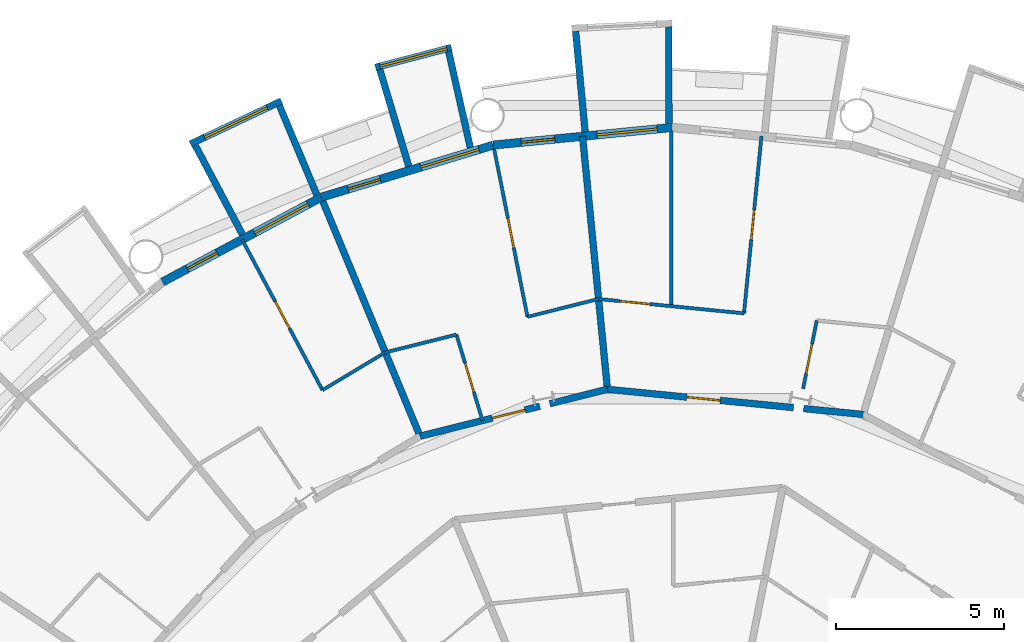
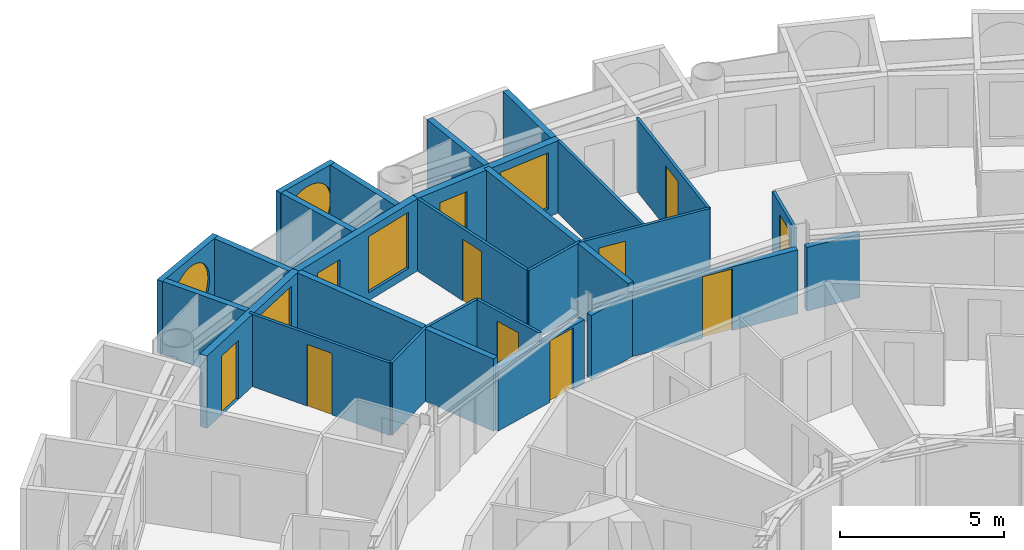
# One storey, part 20 of 26: 27 walls, 11 doors, 5 windows, 16 openings.
"""IFC4 building model written with IfcOpenShell, lengths in metres."""

from ifc_helpers import new_model, si_unit, direction, frame, frame_2d, origin, place, context, subcontext, project, spatial, rectangle, circle, extrude, material, layer, layer_set, type_object, element, fill, save


model = new_model("IFC4")

# Units and contexts
model_context = context("Model", 3, precision=1e-05, world=origin(), true_north=direction((0.0, 1.0)))
body_context = subcontext(model_context, "Body", "Model", "MODEL_VIEW")
ifc_project = project(units=[si_unit("LENGTHUNIT", "METRE"), si_unit("AREAUNIT", "SQUARE_METRE"), si_unit("VOLUMEUNIT", "CUBIC_METRE"), si_unit("PLANEANGLEUNIT", "RADIAN"), si_unit("MASSUNIT", "GRAM", prefix="KILO")], contexts=[model_context])

# Site, building, storey
site_placement = place(None, origin())
site = spatial("IfcSite", under=ifc_project, at=site_placement, CompositionType="ELEMENT")
building_placement = place(site_placement, origin())
building = spatial("IfcBuilding", under=site, at=building_placement, Name="Maasbend Ring Residences", CompositionType="ELEMENT")
storey_placement = place(building_placement, frame((0.0, 0.0, 25.85009765625)))
storey = spatial("IfcBuildingStorey", under=building, at=storey_placement, Name="L06", CompositionType="ELEMENT", Elevation=25.85009765625)

# Wall, opening, door
ifc_material_1 = material(Name="Concrete C30/37", Category="concrete")
ifc_layer_1 = layer(ifc_material_1, 0.199951171875)
ifc_layer_set_1 = layer_set([ifc_layer_1], Name="Concrete C30/37")
wall_type_1 = type_object("IfcWallType", Name="CORRIDOR WALL 200 CONCRETE", PredefinedType="PARTITIONING", material=ifc_layer_set_1)
wall_1_placement = place(storey_placement, frame((-1.927978515625, 19.5048828125, 0.0), z_axis=(0.0, 0.0, 1.0), x_axis=(0.995204127684, -0.097819958296, 0.0)))
wall_1 = element("IfcWall", 1, at=wall_1_placement, inside=storey, type_object=wall_type_1, Name="U-L06-w109", PredefinedType="PARTITIONING", context=body_context, shape_type="SweptSolid", body=[
    extrude(rectangle(XDim=5.570556640625, YDim=0.199951171875, at=frame_2d((2.78515625, 0.0))), origin(), (0.0, 0.0, 1.0), 2.3798828125),
])
opening_1_placement = place(wall_1_placement, frame((2.375, 0.0, 0.0)))
opening_1 = element("IfcOpeningElement", 2, at=opening_1_placement, cuts=wall_1, Name="Opening D-0608", PredefinedType="OPENING", context=body_context, shape_type="SweptSolid", body=[
    extrude(rectangle(XDim=1.0, YDim=2.300048828125, at=frame_2d((0.5, 1.14990234375))), frame((0.0, 0.10986328125, 0.0), z_axis=(0.0, -1.0, 0.0), x_axis=(1.0, 0.0, 0.0)), (0.0, 0.0, 1.0), 0.219970703125),
])
ifc_material_2 = material(Name="Timber, fire-rated, painted", Category="wood")
door_type_1 = type_object("IfcDoorType", Name="FLAT ENTRANCE DOOR 1000 X 2300 FIRE-RATED", OperationType="NOTDEFINED", PredefinedType="DOOR", material=ifc_material_2)
door_1_placement = place(opening_1_placement, origin())
door_1 = element("IfcDoor", 3, at=door_1_placement, inside=storey, type_object=door_type_1, Name="D-0608", OperationType="SINGLE_SWING_RIGHT", OverallHeight=2.300048828125, OverallWidth=1.0, PredefinedType="DOOR", context=body_context, shape_type="SweptSolid", body=[
    extrude(rectangle(XDim=1.0, YDim=2.300048828125, at=frame_2d((0.5, 1.14990234375))), frame((0.0, 0.02490234375, 0.0), z_axis=(0.0, -1.0, 0.0), x_axis=(1.0, 0.0, 0.0)), (0.0, 0.0, 1.0), 0.050048828125),
])
fill(opening_1, door_1)

# Wall
wall_2_placement = place(storey_placement, frame((3.9208984375, 18.929931640625, 0.0), z_axis=(0.0, 0.0, 1.0), x_axis=(0.995207057161, -0.097790149696, 0.0)))
element("IfcWall", 4, at=wall_2_placement, inside=storey, type_object=wall_type_1, Name="U-L06-w110", PredefinedType="PARTITIONING", context=body_context, shape_type="SweptSolid", body=[
    extrude(rectangle(XDim=1.777587890625, YDim=0.199951171875, at=frame_2d((0.888671875, 0.0))), origin(), (0.0, 0.0, 1.0), 2.3798828125),
])

# Wall, opening, door
wall_3_placement = place(storey_placement, frame((-7.5009765625, 18.10791015625, 0.0), z_axis=(0.0, 0.0, 1.0), x_axis=(0.970040840928, 0.242941900323, 0.0)))
wall_3 = element("IfcWall", 5, at=wall_3_placement, inside=storey, type_object=wall_type_1, Name="U-L06-w116", PredefinedType="PARTITIONING", context=body_context, shape_type="SweptSolid", body=[
    extrude(rectangle(XDim=3.676025390625, YDim=0.199951171875, at=frame_2d((1.837890625, 0.0))), origin(), (0.0, 0.0, 1.0), 2.3798828125),
])
opening_2_placement = place(wall_3_placement, frame((2.217041015625, 0.0, 0.0)))
opening_2 = element("IfcOpeningElement", 6, at=opening_2_placement, cuts=wall_3, Name="Opening D-0612", PredefinedType="OPENING", context=body_context, shape_type="SweptSolid", body=[
    extrude(rectangle(XDim=1.0, YDim=2.300048828125, at=frame_2d((0.5, 1.14990234375))), frame((0.0, 0.10986328125, 0.0), z_axis=(0.0, -1.0, 0.0), x_axis=(1.0, 0.0, 0.0)), (0.0, 0.0, 1.0), 0.219970703125),
])
door_2_placement = place(opening_2_placement, origin())
door_2 = element("IfcDoor", 7, at=door_2_placement, inside=storey, type_object=door_type_1, Name="D-0612", OperationType="SINGLE_SWING_RIGHT", OverallHeight=2.300048828125, OverallWidth=1.0, PredefinedType="DOOR", context=body_context, shape_type="SweptSolid", body=[
    extrude(rectangle(XDim=1.0, YDim=2.300048828125, at=frame_2d((0.5, 1.14990234375))), frame((0.0, 0.02490234375, 0.0), z_axis=(0.0, -1.0, 0.0), x_axis=(1.0, 0.0, 0.0)), (0.0, 0.0, 1.0), 0.050048828125),
])
fill(opening_2, door_2)

# Walls
wall_4_placement = place(storey_placement, frame((-3.638916015625, 19.075927734375, 0.0), z_axis=(0.0, 0.0, 1.0), x_axis=(0.970053237222, 0.242892397895, 0.0)))
element("IfcWall", 8, at=wall_4_placement, inside=storey, type_object=wall_type_1, Name="U-L06-w117", PredefinedType="PARTITIONING", context=body_context, shape_type="SweptSolid", body=[
    extrude(rectangle(XDim=1.77099609375, YDim=0.199951171875, at=frame_2d((0.885498046875, 0.0))), origin(), (0.0, 0.0, 1.0), 2.3798828125),
])
ifc_material_3 = material(Name="Pale anodised aluminium panel", Category="aluminium")
ifc_layer_2 = layer(ifc_material_3, 0.199951171875)
ifc_layer_set_2 = layer_set([ifc_layer_2], Name="EW-BOX")
wall_type_2 = type_object("IfcWallType", Name="EW-BOX", PredefinedType="SOLIDWALL", material=ifc_layer_set_2)
wall_5_placement = place(storey_placement, frame((-0.090087890625, 27.4169921875, -0.030029296875), z_axis=(0.0, 0.0, 1.0), x_axis=(-0.00347308367, 0.999993968827, 0.0)))
element("IfcWall", 9, at=wall_5_placement, inside=storey, type_object=wall_type_2, Name="Box side wall N11 left", PredefinedType="SOLIDWALL", context=body_context, shape_type="SweptSolid", body=[
    extrude(rectangle(XDim=2.882080078125, YDim=0.199951171875, at=frame_2d((1.44091796875, 0.0))), origin(), (0.0, 0.0, 1.0), 2.72998046875),
])
wall_6_placement = place(storey_placement, frame((-2.5859375, 27.1708984375, -0.030029296875), z_axis=(0.0, 0.0, 1.0), x_axis=(-0.094548432284, 0.995520262954, 0.0)))
element("IfcWall", 10, at=wall_6_placement, inside=storey, type_object=wall_type_2, Name="Box side wall N11 right", PredefinedType="SOLIDWALL", context=body_context, shape_type="SweptSolid", body=[
    extrude(rectangle(XDim=3.005615234375, YDim=0.199951171875, at=frame_2d((1.5029296875, 0.0))), origin(), (0.0, 0.0, 1.0), 2.72998046875),
])

# Wall, opening, window
wall_7_placement = place(storey_placement, frame((-6.568115234375, 29.681884765625, -0.030029296875), z_axis=(0.0, 0.0, 1.0), x_axis=(-0.967377102346, -0.253340762326, 0.0)))
wall_7 = element("IfcWall", 11, at=wall_7_placement, inside=storey, type_object=wall_type_2, Name="Box front N13", PredefinedType="SOLIDWALL", context=body_context, shape_type="SweptSolid", body=[
    extrude(rectangle(XDim=2.3359375, YDim=0.199951171875, at=frame_2d((1.16796875, 0.0))), origin(), (0.0, 0.0, 1.0), 2.72998046875),
])
opening_3_placement = place(wall_7_placement, frame((0.128173828125, 0.0, 0.330078125)))
opening_3 = element("IfcOpeningElement", 12, at=opening_3_placement, cuts=wall_7, Name="Opening W-RD", PredefinedType="OPENING", context=body_context, shape_type="SweptSolid", body=[
    extrude(circle(Radius=1.0400390625, at=frame_2d((1.0400390625, 1.0400390625))), frame((0.0, 0.10986328125, 0.0), z_axis=(0.0, -1.0, 0.0), x_axis=(1.0, 0.0, 0.0)), (0.0, 0.0, 1.0), 0.219970703125),
])
ifc_material_4 = material(Name="Aluminium and clear glass", Category="aluminium")
window_type_1 = type_object("IfcWindowType", Name="W-RD", PartitioningType="SINGLE_PANEL", PredefinedType="WINDOW", material=ifc_material_4)
window_1_placement = place(opening_3_placement, origin())
window_1 = element("IfcWindow", 13, at=window_1_placement, inside=storey, type_object=window_type_1, Name="Round window N13", OverallHeight=2.080078125, OverallWidth=2.080078125, PartitioningType="SINGLE_PANEL", PredefinedType="WINDOW", context=body_context, shape_type="SweptSolid", body=[
    extrude(circle(Radius=1.0400390625, at=frame_2d((1.0400390625, 1.0400390625))), frame((0.0, 0.030029296875, 0.0), z_axis=(0.0, -1.0, 0.0), x_axis=(1.0, 0.0, 0.0)), (0.0, 0.0, 1.0), 0.06005859375),
])
fill(opening_3, window_1)

# Walls
wall_8_placement = place(storey_placement, frame((-6.00390625, 26.699951171875, -0.030029296875), z_axis=(0.0, 0.0, 1.0), x_axis=(-0.219609259383, 0.975587911566, 0.0)))
element("IfcWall", 14, at=wall_8_placement, inside=storey, type_object=wall_type_2, Name="Box side wall N13 left", PredefinedType="SOLIDWALL", context=body_context, shape_type="SweptSolid", body=[
    extrude(rectangle(XDim=2.9326171875, YDim=0.199951171875, at=frame_2d((1.46630859375, 0.0))), origin(), (0.0, 0.0, 1.0), 2.72998046875),
])
wall_9_placement = place(storey_placement, frame((-7.8369140625, 26.14404296875, -0.030029296875), z_axis=(0.0, 0.0, 1.0), x_axis=(-0.287064767992, 0.957911174889, 0.0)))
element("IfcWall", 15, at=wall_9_placement, inside=storey, type_object=wall_type_2, Name="Box side wall N13 right", PredefinedType="SOLIDWALL", context=body_context, shape_type="SweptSolid", body=[
    extrude(rectangle(XDim=3.00634765625, YDim=0.199951171875, at=frame_2d((1.503173828125, 0.0))), origin(), (0.0, 0.0, 1.0), 2.72998046875),
])

# Wall, opening, window
wall_10_placement = place(storey_placement, frame((-11.62890625, 28.087890625, -0.030029296875), z_axis=(0.0, 0.0, 1.0), x_axis=(-0.904000060331, -0.427532327342, 0.0)))
wall_10 = element("IfcWall", 16, at=wall_10_placement, inside=storey, type_object=wall_type_2, Name="Box front N15", PredefinedType="SOLIDWALL", context=body_context, shape_type="SweptSolid", body=[
    extrude(rectangle(XDim=2.993408203125, YDim=0.199951171875, at=frame_2d((1.49658203125, 0.0))), origin(), (0.0, 0.0, 1.0), 2.72998046875),
])
opening_4_placement = place(wall_10_placement, frame((0.45654296875, 0.0, 0.330078125)))
opening_4 = element("IfcOpeningElement", 17, at=opening_4_placement, cuts=wall_10, Name="Opening W-RD", PredefinedType="OPENING", context=body_context, shape_type="SweptSolid", body=[
    extrude(circle(Radius=1.0400390625, at=frame_2d((1.0400390625, 1.0400390625))), frame((0.0, 0.10986328125, 0.0), z_axis=(0.0, -1.0, 0.0), x_axis=(1.0, 0.0, 0.0)), (0.0, 0.0, 1.0), 0.219970703125),
])
window_2_placement = place(opening_4_placement, origin())
window_2 = element("IfcWindow", 18, at=window_2_placement, inside=storey, type_object=window_type_1, Name="Round window N15", OverallHeight=2.080078125, OverallWidth=2.080078125, PartitioningType="SINGLE_PANEL", PredefinedType="WINDOW", context=body_context, shape_type="SweptSolid", body=[
    extrude(circle(Radius=1.0400390625, at=frame_2d((1.0400390625, 1.0400390625))), frame((0.0, 0.030029296875, 0.0), z_axis=(0.0, -1.0, 0.0), x_axis=(1.0, 0.0, 0.0)), (0.0, 0.0, 1.0), 0.06005859375),
])
fill(opening_4, window_2)

# Walls
wall_11_placement = place(storey_placement, frame((-10.574951171875, 25.294921875, -0.030029296875), z_axis=(0.0, 0.0, 1.0), x_axis=(-0.385697364644, 0.922625353492, 0.0)))
element("IfcWall", 19, at=wall_11_placement, inside=storey, type_object=wall_type_2, Name="Box side wall N15 left", PredefinedType="SOLIDWALL", context=body_context, shape_type="SweptSolid", body=[
    extrude(rectangle(XDim=2.88330078125, YDim=0.199951171875, at=frame_2d((1.441650390625, 0.0))), origin(), (0.0, 0.0, 1.0), 2.72998046875),
])
wall_12_placement = place(storey_placement, frame((-12.787109375, 24.113037109375, -0.030029296875), z_axis=(0.0, 0.0, 1.0), x_axis=(-0.468365282436, 0.883534924159, 0.0)))
element("IfcWall", 20, at=wall_12_placement, inside=storey, type_object=wall_type_2, Name="Box side wall N15 right", PredefinedType="SOLIDWALL", context=body_context, shape_type="SweptSolid", body=[
    extrude(rectangle(XDim=3.006103515625, YDim=0.199951171875, at=frame_2d((1.5029296875, 0.0))), origin(), (0.0, 0.0, 1.0), 2.72998046875),
])

# Wall, openings, door, window
ifc_material_5 = material(Name="Aluminium clad insulated panel", Category="aluminium")
ifc_layer_3 = layer(ifc_material_5, 0.25)
ifc_layer_set_3 = layer_set([ifc_layer_3], Name="EW-GL")
wall_type_3 = type_object("IfcWallType", Name="EW-GL", PredefinedType="SOLIDWALL", material=ifc_layer_set_3)
wall_13_placement = place(storey_placement, frame((0.0, 27.300048828125, 0.0), z_axis=(0.0, 0.0, 1.0), x_axis=(-0.995173996315, -0.098126026407, 0.0)))
wall_13 = element("IfcWall", 21, at=wall_13_placement, inside=storey, type_object=wall_type_3, Name="External wall N06", PredefinedType="SOLIDWALL", context=body_context, shape_type="SweptSolid", body=[
    extrude(rectangle(XDim=5.351806640625, YDim=0.25, at=frame_2d((2.67578125, 0.0))), origin(), (0.0, 0.0, 1.0), 2.699951171875),
])
opening_5_placement = place(wall_13_placement, frame((0.441162109375, 0.0, 0.300048828125)))
opening_5 = element("IfcOpeningElement", 22, at=opening_5_placement, cuts=wall_13, Name="Opening W-BX", PredefinedType="OPENING", context=body_context, shape_type="SweptSolid", body=[
    extrude(rectangle(XDim=1.800048828125, YDim=2.10009765625, at=frame_2d((0.89990234375, 1.050048828125))), frame((0.0, 0.135009765625, 0.0), z_axis=(0.0, -1.0, 0.0), x_axis=(1.0, 0.0, 0.0)), (0.0, 0.0, 1.0), 0.27001953125),
])
opening_6_placement = place(wall_13_placement, frame((3.510498046875, 0.0, 0.0)))
opening_6 = element("IfcOpeningElement", 23, at=opening_6_placement, cuts=wall_13, Name="Opening D-LG", PredefinedType="OPENING", context=body_context, shape_type="SweptSolid", body=[
    extrude(rectangle(XDim=1.0, YDim=2.199951171875, at=frame_2d((0.5, 1.10009765625))), frame((0.0, 0.135009765625, 0.0), z_axis=(0.0, -1.0, 0.0), x_axis=(1.0, 0.0, 0.0)), (0.0, 0.0, 1.0), 0.27001953125),
])
ifc_material_6 = material(Name="Aluminium and clear glass", Category="aluminium")
door_type_2 = type_object("IfcDoorType", Name="D-LG", OperationType="SINGLE_SWING_LEFT", PredefinedType="DOOR", material=ifc_material_6)
door_3_placement = place(opening_6_placement, origin())
door_3 = element("IfcDoor", 24, at=door_3_placement, inside=storey, type_object=door_type_2, Name="Loggia door N12", OperationType="SINGLE_SWING_LEFT", OverallHeight=2.199951171875, OverallWidth=1.0, PredefinedType="DOOR", context=body_context, shape_type="SweptSolid", body=[
    extrude(rectangle(XDim=1.0, YDim=2.199951171875, at=frame_2d((0.5, 1.10009765625))), frame((0.0, 0.02490234375, 0.0), z_axis=(0.0, -1.0, 0.0), x_axis=(1.0, 0.0, 0.0)), (0.0, 0.0, 1.0), 0.050048828125),
])
fill(opening_6, door_3)
ifc_material_7 = material(Name="Aluminium and clear glass", Category="aluminium")
window_type_2 = type_object("IfcWindowType", Name="W-BX", PartitioningType="DOUBLE_PANEL_VERTICAL", PredefinedType="WINDOW", material=ifc_material_7)
window_3_placement = place(opening_5_placement, origin())
window_3 = element("IfcWindow", 25, at=window_3_placement, inside=storey, type_object=window_type_2, Name="Window N11 room to box", OverallHeight=2.10009765625, OverallWidth=1.800048828125, PartitioningType="SINGLE_PANEL", PredefinedType="WINDOW", context=body_context, shape_type="SweptSolid", body=[
    extrude(rectangle(XDim=1.800048828125, YDim=2.10009765625, at=frame_2d((0.89990234375, 1.050048828125))), frame((0.0, 0.030029296875, 0.0), z_axis=(0.0, -1.0, 0.0), x_axis=(1.0, 0.0, 0.0)), (0.0, 0.0, 1.0), 0.06005859375),
])
fill(opening_5, window_3)

wall_14_placement = place(storey_placement, frame((-5.325927734375, 26.77490234375, 0.0), z_axis=(0.0, 0.0, 1.0), x_axis=(-0.956965678721, -0.290201119486, 0.0)))
wall_14 = element("IfcWall", 26, at=wall_14_placement, inside=storey, type_object=wall_type_3, Name="External wall N07", PredefinedType="SOLIDWALL", context=body_context, shape_type="SweptSolid", body=[
    extrude(rectangle(XDim=5.351318359375, YDim=0.25, at=frame_2d((2.67578125, 0.0))), origin(), (0.0, 0.0, 1.0), 2.699951171875),
])
opening_7_placement = place(wall_14_placement, frame((0.441162109375, 0.0, 0.300048828125)))
opening_7 = element("IfcOpeningElement", 27, at=opening_7_placement, cuts=wall_14, Name="Opening W-BX", PredefinedType="OPENING", context=body_context, shape_type="SweptSolid", body=[
    extrude(rectangle(XDim=1.800048828125, YDim=2.10009765625, at=frame_2d((0.89990234375, 1.050048828125))), frame((0.0, 0.135009765625, 0.0), z_axis=(0.0, -1.0, 0.0), x_axis=(1.0, 0.0, 0.0)), (0.0, 0.0, 1.0), 0.27001953125),
])
opening_8_placement = place(wall_14_placement, frame((3.510498046875, 0.0, 0.0)))
opening_8 = element("IfcOpeningElement", 28, at=opening_8_placement, cuts=wall_14, Name="Opening D-LG", PredefinedType="OPENING", context=body_context, shape_type="SweptSolid", body=[
    extrude(rectangle(XDim=1.0, YDim=2.199951171875, at=frame_2d((0.5, 1.10009765625))), frame((0.0, 0.135009765625, 0.0), z_axis=(0.0, -1.0, 0.0), x_axis=(1.0, 0.0, 0.0)), (0.0, 0.0, 1.0), 0.27001953125),
])
door_4_placement = place(opening_8_placement, origin())
door_4 = element("IfcDoor", 29, at=door_4_placement, inside=storey, type_object=door_type_2, Name="Loggia door N14", OperationType="SINGLE_SWING_LEFT", OverallHeight=2.199951171875, OverallWidth=1.0, PredefinedType="DOOR", context=body_context, shape_type="SweptSolid", body=[
    extrude(rectangle(XDim=1.0, YDim=2.199951171875, at=frame_2d((0.5, 1.10009765625))), frame((0.0, 0.02490234375, 0.0), z_axis=(0.0, -1.0, 0.0), x_axis=(1.0, 0.0, 0.0)), (0.0, 0.0, 1.0), 0.050048828125),
])
fill(opening_8, door_4)
window_4_placement = place(opening_7_placement, origin())
window_4 = element("IfcWindow", 30, at=window_4_placement, inside=storey, type_object=window_type_2, Name="Window N13 room to box", OverallHeight=2.10009765625, OverallWidth=1.800048828125, PartitioningType="SINGLE_PANEL", PredefinedType="WINDOW", context=body_context, shape_type="SweptSolid", body=[
    extrude(rectangle(XDim=1.800048828125, YDim=2.10009765625, at=frame_2d((0.89990234375, 1.050048828125))), frame((0.0, 0.030029296875, 0.0), z_axis=(0.0, -1.0, 0.0), x_axis=(1.0, 0.0, 0.0)), (0.0, 0.0, 1.0), 0.06005859375),
])
fill(opening_7, window_4)

wall_15_placement = place(storey_placement, frame((-10.447021484375, 25.221923828125, 0.0), z_axis=(0.0, 0.0, 1.0), x_axis=(-0.881915646801, -0.471407246368, 0.0)))
wall_15 = element("IfcWall", 31, at=wall_15_placement, inside=storey, type_object=wall_type_3, Name="External wall N08", PredefinedType="SOLIDWALL", context=body_context, shape_type="SweptSolid", body=[
    extrude(rectangle(XDim=5.35205078125, YDim=0.25, at=frame_2d((2.676025390625, 0.0))), origin(), (0.0, 0.0, 1.0), 2.699951171875),
])
opening_9_placement = place(wall_15_placement, frame((0.441162109375, 0.0, 0.300048828125)))
opening_9 = element("IfcOpeningElement", 32, at=opening_9_placement, cuts=wall_15, Name="Opening W-BX", PredefinedType="OPENING", context=body_context, shape_type="SweptSolid", body=[
    extrude(rectangle(XDim=1.800048828125, YDim=2.10009765625, at=frame_2d((0.89990234375, 1.050048828125))), frame((0.0, 0.135009765625, 0.0), z_axis=(0.0, -1.0, 0.0), x_axis=(1.0, 0.0, 0.0)), (0.0, 0.0, 1.0), 0.27001953125),
])
opening_10_placement = place(wall_15_placement, frame((3.510498046875, 0.0, 0.0)))
opening_10 = element("IfcOpeningElement", 33, at=opening_10_placement, cuts=wall_15, Name="Opening D-LG", PredefinedType="OPENING", context=body_context, shape_type="SweptSolid", body=[
    extrude(rectangle(XDim=1.0, YDim=2.199951171875, at=frame_2d((0.5, 1.10009765625))), frame((0.0, 0.135009765625, 0.0), z_axis=(0.0, -1.0, 0.0), x_axis=(1.0, 0.0, 0.0)), (0.0, 0.0, 1.0), 0.27001953125),
])
door_5_placement = place(opening_10_placement, origin())
door_5 = element("IfcDoor", 34, at=door_5_placement, inside=storey, type_object=door_type_2, Name="Loggia door N16", OperationType="SINGLE_SWING_LEFT", OverallHeight=2.199951171875, OverallWidth=1.0, PredefinedType="DOOR", context=body_context, shape_type="SweptSolid", body=[
    extrude(rectangle(XDim=1.0, YDim=2.199951171875, at=frame_2d((0.5, 1.10009765625))), frame((0.0, 0.02490234375, 0.0), z_axis=(0.0, -1.0, 0.0), x_axis=(1.0, 0.0, 0.0)), (0.0, 0.0, 1.0), 0.050048828125),
])
fill(opening_10, door_5)
window_5_placement = place(opening_9_placement, origin())
window_5 = element("IfcWindow", 35, at=window_5_placement, inside=storey, type_object=window_type_2, Name="Window N15 room to box", OverallHeight=2.10009765625, OverallWidth=1.800048828125, PartitioningType="SINGLE_PANEL", PredefinedType="WINDOW", context=body_context, shape_type="SweptSolid", body=[
    extrude(rectangle(XDim=1.800048828125, YDim=2.10009765625, at=frame_2d((0.89990234375, 1.050048828125))), frame((0.0, 0.030029296875, 0.0), z_axis=(0.0, -1.0, 0.0), x_axis=(1.0, 0.0, 0.0)), (0.0, 0.0, 1.0), 0.06005859375),
])
fill(opening_9, window_5)

# Wall, opening, door
ifc_material_8 = material(Name="Gypsum board on steel studs", Category="steel")
ifc_layer_4 = layer(ifc_material_8, 0.10009765625)
ifc_layer_set_4 = layer_set([ifc_layer_4], Name="PARTITION 100 GYPSUM")
wall_type_4 = type_object("IfcWallType", Name="PARTITION 100 GYPSUM", PredefinedType="PARTITIONING", material=ifc_layer_set_4)
wall_16_placement = place(storey_placement, frame((-12.802978515625, 23.969970703125, 0.0), z_axis=(0.0, 0.0, 1.0), x_axis=(0.471170755767, -0.882042016522, 0.0)))
wall_16 = element("IfcWall", 36, at=wall_16_placement, inside=storey, type_object=wall_type_4, Name="U-L06-w043", PredefinedType="PARTITIONING", context=body_context, shape_type="SweptSolid", body=[
    extrude(rectangle(XDim=5.08935546875, YDim=0.10009765625, at=frame_2d((2.544677734375, 0.0))), origin(), (0.0, 0.0, 1.0), 2.699951171875),
])
opening_11_placement = place(wall_16_placement, frame((2.094970703125, 0.0, 0.0)))
opening_11 = element("IfcOpeningElement", 37, at=opening_11_placement, cuts=wall_16, Name="Opening D-0617", PredefinedType="OPENING", context=body_context, shape_type="SweptSolid", body=[
    extrude(rectangle(XDim=0.89990234375, YDim=2.300048828125, at=frame_2d((0.449951171875, 1.14990234375))), frame((0.0, 0.06005859375, 0.0), z_axis=(0.0, -1.0, 0.0), x_axis=(1.0, 0.0, 0.0)), (0.0, 0.0, 1.0), 0.1201171875),
])
ifc_material_9 = material(Name="Timber, painted", Category="wood")
door_type_3 = type_object("IfcDoorType", Name="INTERNAL DOOR 900 X 2300", OperationType="NOTDEFINED", PredefinedType="DOOR", material=ifc_material_9)
door_6_placement = place(opening_11_placement, origin())
door_6 = element("IfcDoor", 38, at=door_6_placement, inside=storey, type_object=door_type_3, Name="D-0617", OperationType="SINGLE_SWING_RIGHT", OverallHeight=2.300048828125, OverallWidth=0.89990234375, PredefinedType="DOOR", context=body_context, shape_type="SweptSolid", body=[
    extrude(rectangle(XDim=0.89990234375, YDim=2.300048828125, at=frame_2d((0.449951171875, 1.14990234375))), frame((0.0, 0.02490234375, 0.0), z_axis=(0.0, -1.0, 0.0), x_axis=(1.0, 0.0, 0.0)), (0.0, 0.0, 1.0), 0.050048828125),
])
fill(opening_11, door_6)

wall_17_placement = place(storey_placement, frame((-6.41796875, 21.133056640625, 0.0), z_axis=(0.0, 0.0, 1.0), x_axis=(0.290478618436, -0.956881482855, 0.0)))
wall_17 = element("IfcWall", 39, at=wall_17_placement, inside=storey, type_object=wall_type_4, Name="U-L06-w055", PredefinedType="PARTITIONING", context=body_context, shape_type="SweptSolid", body=[
    extrude(rectangle(XDim=2.67431640625, YDim=0.10009765625, at=frame_2d((1.337158203125, 0.0))), origin(), (0.0, 0.0, 1.0), 2.699951171875),
])
opening_12_placement = place(wall_17_placement, frame((0.886962890625, 0.0, 0.0)))
opening_12 = element("IfcOpeningElement", 40, at=opening_12_placement, cuts=wall_17, Name="Opening D-0613", PredefinedType="OPENING", context=body_context, shape_type="SweptSolid", body=[
    extrude(rectangle(XDim=0.89990234375, YDim=2.300048828125, at=frame_2d((0.449951171875, 1.14990234375))), frame((0.0, 0.06005859375, 0.0), z_axis=(0.0, -1.0, 0.0), x_axis=(1.0, 0.0, 0.0)), (0.0, 0.0, 1.0), 0.1201171875),
])
door_7_placement = place(opening_12_placement, origin())
door_7 = element("IfcDoor", 41, at=door_7_placement, inside=storey, type_object=door_type_3, Name="D-0613", OperationType="SINGLE_SWING_RIGHT", OverallHeight=2.300048828125, OverallWidth=0.89990234375, PredefinedType="DOOR", context=body_context, shape_type="SweptSolid", body=[
    extrude(rectangle(XDim=0.89990234375, YDim=2.300048828125, at=frame_2d((0.449951171875, 1.14990234375))), frame((0.0, 0.02490234375, 0.0), z_axis=(0.0, -1.0, 0.0), x_axis=(1.0, 0.0, 0.0)), (0.0, 0.0, 1.0), 0.050048828125),
])
fill(opening_12, door_7)

wall_18_placement = place(storey_placement, frame((-5.29296875, 26.655029296875, 0.0), z_axis=(0.0, 0.0, 1.0), x_axis=(0.194713709563, -0.980860118115, 0.0)))
wall_18 = element("IfcWall", 42, at=wall_18_placement, inside=storey, type_object=wall_type_4, Name="U-L06-w056", PredefinedType="PARTITIONING", context=body_context, shape_type="SweptSolid", body=[
    extrude(rectangle(XDim=5.08935546875, YDim=0.10009765625, at=frame_2d((2.544677734375, 0.0))), origin(), (0.0, 0.0, 1.0), 2.699951171875),
])
opening_13_placement = place(wall_18_placement, frame((2.094970703125, 0.0, 0.0)))
opening_13 = element("IfcOpeningElement", 43, at=opening_13_placement, cuts=wall_18, Name="Opening D-0614", PredefinedType="OPENING", context=body_context, shape_type="SweptSolid", body=[
    extrude(rectangle(XDim=0.89990234375, YDim=2.300048828125, at=frame_2d((0.449951171875, 1.14990234375))), frame((0.0, 0.06005859375, 0.0), z_axis=(0.0, -1.0, 0.0), x_axis=(1.0, 0.0, 0.0)), (0.0, 0.0, 1.0), 0.1201171875),
])
door_8_placement = place(opening_13_placement, origin())
door_8 = element("IfcDoor", 44, at=door_8_placement, inside=storey, type_object=door_type_3, Name="D-0614", OperationType="SINGLE_SWING_RIGHT", OverallHeight=2.300048828125, OverallWidth=0.89990234375, PredefinedType="DOOR", context=body_context, shape_type="SweptSolid", body=[
    extrude(rectangle(XDim=0.89990234375, YDim=2.300048828125, at=frame_2d((0.449951171875, 1.14990234375))), frame((0.0, 0.02490234375, 0.0), z_axis=(0.0, -1.0, 0.0), x_axis=(1.0, 0.0, 0.0)), (0.0, 0.0, 1.0), 0.050048828125),
])
fill(opening_13, door_8)

# Wall
wall_19_placement = place(storey_placement, frame((-0.02099609375, 21.97900390625, 0.0), z_axis=(0.0, 0.0, 1.0), x_axis=(-0.00093971673, 0.999999558466, 0.0)))
element("IfcWall", 45, at=wall_19_placement, inside=storey, type_object=wall_type_4, Name="U-L06-w064", PredefinedType="PARTITIONING", context=body_context, shape_type="SweptSolid", body=[
    extrude(rectangle(XDim=5.196044921875, YDim=0.10009765625, at=frame_2d((2.59814453125, 0.0))), origin(), (0.0, 0.0, 1.0), 2.699951171875),
])

# Wall, opening, door
wall_20_placement = place(storey_placement, frame((2.14404296875, 21.76611328125, 0.0), z_axis=(0.0, 0.0, 1.0), x_axis=(0.098054199821, 0.995181075934, 0.0)))
wall_20 = element("IfcWall", 46, at=wall_20_placement, inside=storey, type_object=wall_type_4, Name="U-L06-w072", PredefinedType="PARTITIONING", context=body_context, shape_type="SweptSolid", body=[
    extrude(rectangle(XDim=5.303466796875, YDim=0.10009765625, at=frame_2d((2.65185546875, 0.0))), origin(), (0.0, 0.0, 1.0), 2.699951171875),
])
opening_14_placement = place(wall_20_placement, frame((2.201904296875, 0.0, 0.0)))
opening_14 = element("IfcOpeningElement", 47, at=opening_14_placement, cuts=wall_20, Name="Opening D-0610", PredefinedType="OPENING", context=body_context, shape_type="SweptSolid", body=[
    extrude(rectangle(XDim=0.89990234375, YDim=2.300048828125, at=frame_2d((0.449951171875, 1.14990234375))), frame((0.0, 0.06005859375, 0.0), z_axis=(0.0, -1.0, 0.0), x_axis=(1.0, 0.0, 0.0)), (0.0, 0.0, 1.0), 0.1201171875),
])
door_9_placement = place(opening_14_placement, origin())
door_9 = element("IfcDoor", 48, at=door_9_placement, inside=storey, type_object=door_type_3, Name="D-0610", OperationType="SINGLE_SWING_LEFT", OverallHeight=2.300048828125, OverallWidth=0.89990234375, PredefinedType="DOOR", context=body_context, shape_type="SweptSolid", body=[
    extrude(rectangle(XDim=0.89990234375, YDim=2.300048828125, at=frame_2d((0.449951171875, 1.14990234375))), frame((0.0, 0.02490234375, 0.0), z_axis=(0.0, -1.0, 0.0), x_axis=(1.0, 0.0, 0.0)), (0.0, 0.0, 1.0), 0.050048828125),
])
fill(opening_14, door_9)

wall_21_placement = place(storey_placement, frame((3.903076171875, 19.52392578125, 0.0), z_axis=(0.0, 0.0, 1.0), x_axis=(0.19620689099, 0.980562520153, 0.0)))
wall_21 = element("IfcWall", 49, at=wall_21_placement, inside=storey, type_object=wall_type_4, Name="U-L06-w076", PredefinedType="PARTITIONING", context=body_context, shape_type="SweptSolid", body=[
    extrude(rectangle(XDim=2.0693359375, YDim=0.10009765625, at=frame_2d((1.03466796875, 0.0))), origin(), (0.0, 0.0, 1.0), 2.699951171875),
])
opening_15_placement = place(wall_21_placement, frame((0.4580078125, 0.0, 0.0)))
opening_15 = element("IfcOpeningElement", 50, at=opening_15_placement, cuts=wall_21, Name="Opening D-0609", PredefinedType="OPENING", context=body_context, shape_type="SweptSolid", body=[
    extrude(rectangle(XDim=0.89990234375, YDim=2.300048828125, at=frame_2d((0.449951171875, 1.14990234375))), frame((0.0, 0.06005859375, 0.0), z_axis=(0.0, -1.0, 0.0), x_axis=(1.0, 0.0, 0.0)), (0.0, 0.0, 1.0), 0.1201171875),
])
door_10_placement = place(opening_15_placement, origin())
door_10 = element("IfcDoor", 51, at=door_10_placement, inside=storey, type_object=door_type_3, Name="D-0609", OperationType="SINGLE_SWING_LEFT", OverallHeight=2.300048828125, OverallWidth=0.89990234375, PredefinedType="DOOR", context=body_context, shape_type="SweptSolid", body=[
    extrude(rectangle(XDim=0.89990234375, YDim=2.300048828125, at=frame_2d((0.449951171875, 1.14990234375))), frame((0.0, 0.02490234375, 0.0), z_axis=(0.0, -1.0, 0.0), x_axis=(1.0, 0.0, 0.0)), (0.0, 0.0, 1.0), 0.050048828125),
])
fill(opening_15, door_10)

wall_22_placement = place(storey_placement, frame((-2.19091796875, 22.193115234375, 0.0), z_axis=(0.0, 0.0, 1.0), x_axis=(0.995194459907, -0.097918266785, 0.0)))
wall_22 = element("IfcWall", 52, at=wall_22_placement, inside=storey, type_object=wall_type_4, Name="U-L06-w121", PredefinedType="PARTITIONING", context=body_context, shape_type="SweptSolid", body=[
    extrude(rectangle(XDim=4.36083984375, YDim=0.10009765625, at=frame_2d((2.180419921875, 0.0))), origin(), (0.0, 0.0, 1.0), 2.699951171875),
])
opening_16_placement = place(wall_22_placement, frame((0.639892578125, 0.0, 0.0)))
opening_16 = element("IfcOpeningElement", 53, at=opening_16_placement, cuts=wall_22, Name="Opening D-0611", PredefinedType="OPENING", context=body_context, shape_type="SweptSolid", body=[
    extrude(rectangle(XDim=0.89990234375, YDim=2.300048828125, at=frame_2d((0.449951171875, 1.14990234375))), frame((0.0, 0.06005859375, 0.0), z_axis=(0.0, -1.0, 0.0), x_axis=(1.0, 0.0, 0.0)), (0.0, 0.0, 1.0), 0.1201171875),
])
door_11_placement = place(opening_16_placement, origin())
door_11 = element("IfcDoor", 54, at=door_11_placement, inside=storey, type_object=door_type_3, Name="D-0611", OperationType="SINGLE_SWING_LEFT", OverallHeight=2.300048828125, OverallWidth=0.89990234375, PredefinedType="DOOR", context=body_context, shape_type="SweptSolid", body=[
    extrude(rectangle(XDim=0.89990234375, YDim=2.300048828125, at=frame_2d((0.449951171875, 1.14990234375))), frame((0.0, 0.02490234375, 0.0), z_axis=(0.0, -1.0, 0.0), x_axis=(1.0, 0.0, 0.0)), (0.0, 0.0, 1.0), 0.050048828125),
])
fill(opening_16, door_11)

# Walls
wall_23_placement = place(storey_placement, frame((-10.405029296875, 19.48095703125, 0.0), z_axis=(0.0, 0.0, 1.0), x_axis=(0.857611386679, 0.514298268943, 0.0)))
element("IfcWall", 55, at=wall_23_placement, inside=storey, type_object=wall_type_4, Name="U-L06-w128", PredefinedType="PARTITIONING", context=body_context, shape_type="SweptSolid", body=[
    extrude(rectangle(XDim=2.181640625, YDim=0.10009765625, at=frame_2d((1.0908203125, 0.0))), origin(), (0.0, 0.0, 1.0), 2.699951171875),
])
wall_24_placement = place(storey_placement, frame((-8.534912109375, 20.60302734375, 0.0), z_axis=(0.0, 0.0, 1.0), x_axis=(0.97003047456, 0.242983288366, 0.0)))
element("IfcWall", 56, at=wall_24_placement, inside=storey, type_object=wall_type_4, Name="U-L06-w129", PredefinedType="PARTITIONING", context=body_context, shape_type="SweptSolid", body=[
    extrude(rectangle(XDim=2.181396484375, YDim=0.10009765625, at=frame_2d((1.0908203125, 0.0))), origin(), (0.0, 0.0, 1.0), 2.699951171875),
])
wall_25_placement = place(storey_placement, frame((-4.302978515625, 21.6630859375, 0.0), z_axis=(0.0, 0.0, 1.0), x_axis=(0.970056889313, 0.242877811867, 0.0)))
element("IfcWall", 57, at=wall_25_placement, inside=storey, type_object=wall_type_4, Name="U-L06-w130", PredefinedType="PARTITIONING", context=body_context, shape_type="SweptSolid", body=[
    extrude(rectangle(XDim=2.182373046875, YDim=0.10009765625, at=frame_2d((1.09130859375, 0.0))), origin(), (0.0, 0.0, 1.0), 2.699951171875),
])
ifc_material_10 = material(Name="Concrete C30/37", Category="concrete")
ifc_layer_5 = layer(ifc_material_10, 0.199951171875)
ifc_layer_set_5 = layer_set([ifc_layer_5], Name="Concrete C30/37")
wall_type_5 = type_object("IfcWallType", Name="PARTY WALL 200 CONCRETE", PredefinedType="PARTITIONING", material=ifc_layer_set_5)
wall_26_placement = place(storey_placement, frame((-10.39794921875, 25.10595703125, 0.0), z_axis=(0.0, 0.0, 1.0), x_axis=(0.382490346157, -0.923959487801, 0.0)))
element("IfcWall", 58, at=wall_26_placement, inside=storey, type_object=wall_type_5, Name="U-L06-w048", PredefinedType="PARTITIONING", context=body_context, shape_type="SweptSolid", body=[
    extrude(rectangle(XDim=7.573974609375, YDim=0.199951171875, at=frame_2d((3.787109375, 0.0))), origin(), (0.0, 0.0, 1.0), 2.699951171875),
])
wall_27_placement = place(storey_placement, frame((-2.6630859375, 27.0439453125, 0.0), z_axis=(0.0, 0.0, 1.0), x_axis=(0.097987704654, -0.995187625394, 0.0)))
element("IfcWall", 59, at=wall_27_placement, inside=storey, type_object=wall_type_5, Name="U-L06-w061", PredefinedType="PARTITIONING", context=body_context, shape_type="SweptSolid", body=[
    extrude(rectangle(XDim=7.57421875, YDim=0.199951171875, at=frame_2d((3.787109375, 0.0))), origin(), (0.0, 0.0, 1.0), 2.699951171875),
])

save(model, "model.ifc")
